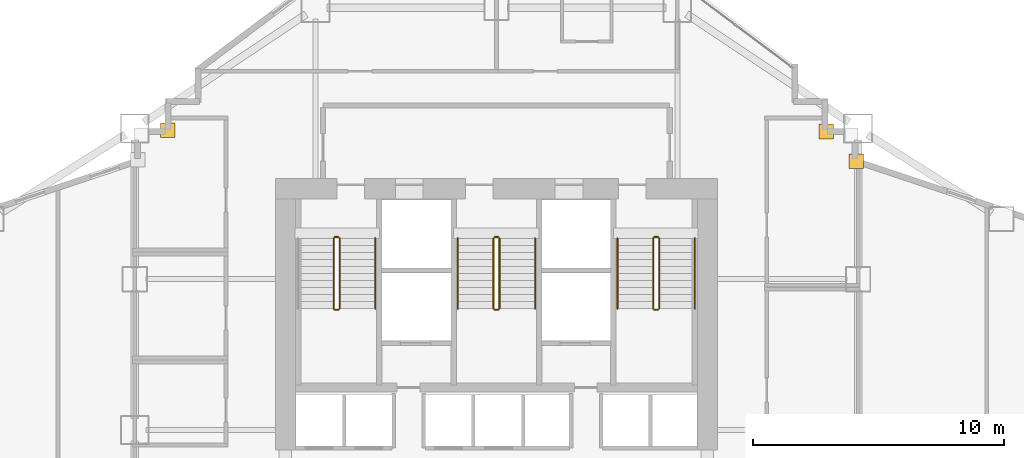
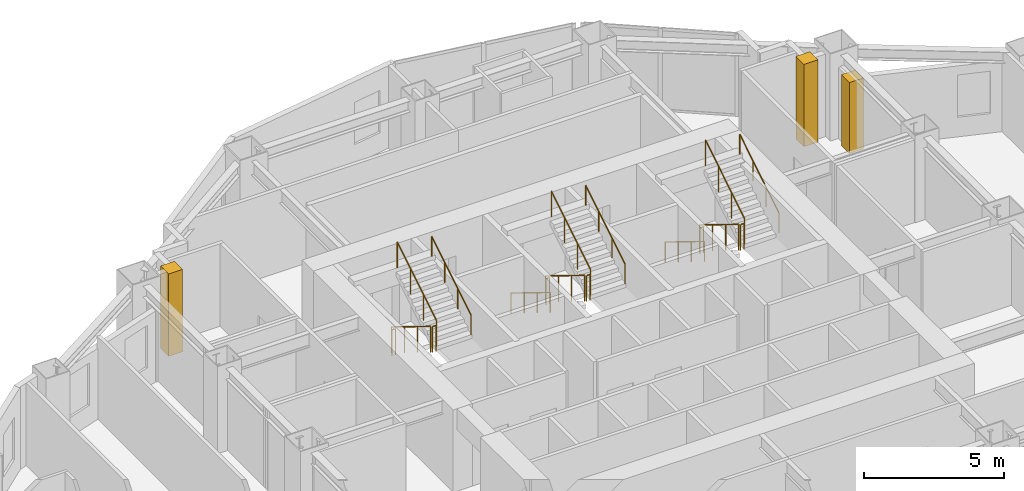
# One storey, part 14 of 15: 17 railings, 3 coverings.
"""IFC4 building model written with IfcOpenShell, lengths in metres."""

import ifcopenshell
import ifcopenshell.guid

model = None  # the IFC model being written
_history = None  # IfcOwnerHistory: only IFC2X3 demands one
_inside = {}  # id of a spatial element -> (the spatial element, [elements in it])
_under = {}  # id of a project, library or spatial element -> (it, [spatial elements below it])
_declared = {}  # id of a project -> (the project, [libraries it declares])
_typed = {}  # id of a type object -> (the type object, [elements of that type])
_made_of = {}  # id of a material, layer set ... -> (it, [elements and type objects made of it])


def new_model(schema):
    """Start an empty IFC model of exactly this schema.

    Asked for "IFC4X3", IfcOpenShell would pick the latest addendum, in which some entities
    have other attributes; the version numbers below select the first issue.
    IFC2X3 requires an IfcOwnerHistory on every rooted entity: one is made here for all.
    """
    global model, _history
    if schema == "IFC4X3":
        model = ifcopenshell.file(schema_version=(4, 3, 0, 0))
    else:
        model = ifcopenshell.file(schema=schema)
    _inside.clear()
    _under.clear()
    _declared.clear()
    _typed.clear()
    _made_of.clear()
    _history = None
    if model.schema == "IFC2X3":
        org = make("IfcOrganization", Name="unknown")
        user = make(
            "IfcPersonAndOrganization",
            ThePerson=make("IfcPerson", FamilyName="unknown"),
            TheOrganization=org,
        )
        app = make(
            "IfcApplication",
            ApplicationDeveloper=org,
            Version="unknown",
            ApplicationFullName="unknown",
            ApplicationIdentifier="unknown",
        )
        _history = make(
            "IfcOwnerHistory",
            OwningUser=user,
            OwningApplication=app,
            ChangeAction="ADDED",
            CreationDate=0,
        )
    return model


def make(cls, **values):
    """One entity of the class cls with the attributes given. An attribute that is None is left unset."""
    return model.create_entity(
        cls, **{name: value for name, value in values.items() if value is not None}
    )


def rooted(cls, **values):
    """An entity with a GlobalId (a new one), such as an element, a storey or a relation."""
    return make(cls, GlobalId=ifcopenshell.guid.new(), OwnerHistory=_history, **values)


def si_unit(unit_type, name, prefix=None):
    """IfcSIUnit, for example si_unit("LENGTHUNIT", "METRE", prefix="MILLI")."""
    return make("IfcSIUnit", UnitType=unit_type, Prefix=prefix, Name=name)


def assignment(units):
    """IfcUnitAssignment: the units of a project."""
    return None if units is None else make("IfcUnitAssignment", Units=units)


def point(xyz):
    """IfcCartesianPoint."""
    return None if xyz is None else make("IfcCartesianPoint", Coordinates=xyz)


def direction(xyz):
    """IfcDirection."""
    return None if xyz is None else make("IfcDirection", DirectionRatios=xyz)


def frame(location, z_axis=None, x_axis=None):
    """IfcAxis2Placement3D, a coordinate frame: its origin and axes. An axis left out is left unset."""
    return make(
        "IfcAxis2Placement3D",
        Location=point(location),
        Axis=direction(z_axis),
        RefDirection=direction(x_axis),
    )


def frame_2d(location, x_axis=None):
    """IfcAxis2Placement2D, a coordinate frame in the plane: its origin and x axis."""
    return make(
        "IfcAxis2Placement2D", Location=point(location), RefDirection=direction(x_axis)
    )


def origin():
    """The frame at (0, 0, 0) with its axes left unset."""
    return frame((0.0, 0.0, 0.0))


def origin_2d():
    """The frame at (0, 0) in the plane with its x axis left unset."""
    return frame_2d((0.0, 0.0))


def place(relative_to, where):
    """IfcLocalPlacement: puts the frame where relative to a parent placement (None: the world)."""
    return make(
        "IfcLocalPlacement", PlacementRelTo=relative_to, RelativePlacement=where
    )


def context(
    kind, dimensions, precision=None, world=None, true_north=None, identifier=None
):
    """IfcGeometricRepresentationContext, for example the 3D "Model" context."""
    return make(
        "IfcGeometricRepresentationContext",
        ContextIdentifier=identifier,
        ContextType=kind,
        CoordinateSpaceDimension=dimensions,
        Precision=precision,
        WorldCoordinateSystem=world,
        TrueNorth=true_north,
    )


def subcontext(parent, identifier, kind, view, scale=None):
    """IfcGeometricRepresentationSubContext, for example "Body" below "Model"."""
    return make(
        "IfcGeometricRepresentationSubContext",
        ContextIdentifier=identifier,
        ContextType=kind,
        ParentContext=parent,
        TargetScale=scale,
        TargetView=view,
    )


def project(units=None, contexts=None):
    """IfcProject with its units and contexts."""
    return rooted(
        "IfcProject",
        Name="project",
        RepresentationContexts=contexts,
        UnitsInContext=assignment(units),
    )


def spatial(cls, under=None, at=None, **own):
    """A site, building, storey or space (cls), placed at a placement, below another one or the project."""
    s = rooted(cls, ObjectPlacement=at, **own)
    if under is not None:
        _under.setdefault(under.id(), (under, []))[1].append(s)
    return s


def profile(cls, at=None, kind="AREA", **sizes):
    """A parametric profile (cls). Its sizes go by their IFC names, for example OverallWidth=200.0."""
    return make(cls, ProfileType=kind, Position=at, **sizes)


def rectangle(**sizes):
    """IfcRectangleProfileDef."""
    return profile("IfcRectangleProfileDef", **sizes)


def circle(**sizes):
    """IfcCircleProfileDef."""
    return profile("IfcCircleProfileDef", **sizes)


def extrude(swept, where, along, depth):
    """IfcExtrudedAreaSolid: the profile swept, set in the frame where, extruded along a direction by depth."""
    return make(
        "IfcExtrudedAreaSolid",
        SweptArea=swept,
        Position=where,
        ExtrudedDirection=direction(along),
        Depth=depth,
    )


def shape(context_of_items, identifier, shape_type, items):
    """IfcShapeRepresentation: the items that make up one representation, for example the "Body"."""
    return make(
        "IfcShapeRepresentation",
        ContextOfItems=context_of_items,
        RepresentationIdentifier=identifier,
        RepresentationType=shape_type,
        Items=items,
    )


def material(Name=None, Category=None):
    """IfcMaterial."""
    return make("IfcMaterial", Name=Name, Category=Category)


def layer(
    of_material, thickness, ventilated=None, Name=None, Category=None, Priority=None
):
    """IfcMaterialLayer: one layer of a wall or slab, of a material (None: an air gap)."""
    return make(
        "IfcMaterialLayer",
        Material=of_material,
        LayerThickness=thickness,
        IsVentilated=ventilated,
        Name=Name,
        Category=Category,
        Priority=Priority,
    )


def layer_set(layers, Name=None):
    """IfcMaterialLayerSet."""
    return make("IfcMaterialLayerSet", MaterialLayers=layers, LayerSetName=Name)


def made_of(thing, what):
    """Note that an element or type object is made of a material, layer set ...; save() writes the relation."""
    if what is not None:
        _made_of.setdefault(what.id(), (what, []))[1].append(thing)
    return thing


def type_object(cls, material=None, **own):
    """A type object (cls), such as IfcWallType, which elements share."""
    return made_of(rooted(cls, **own), material)


def element(
    cls,
    number,
    at=None,
    inside=None,
    cuts=None,
    type_object=None,
    material=None,
    context=None,
    identifier="Body",
    shape_type=None,
    held_by="IfcProductDefinitionShape",
    body=None,
    shapes=None,
    **own,
):
    """One element of the class cls, such as IfcWall. Its Tag is "e" and its number.

    at: its placement. inside: the storey or other place that contains it. cuts: it is an
    opening in that element (IfcRelVoidsElement). A single representation is given by context,
    identifier, shape_type and body (its items); several are given by shapes. held_by: the class
    of the entity that holds the representations. save() writes the other relations.
    """
    e = rooted(cls, Tag="e%d" % number, ObjectPlacement=at, **own)
    if body is not None:
        shapes = [shape(context, identifier, shape_type, body)]
    if shapes is not None:
        e.Representation = make(held_by, Representations=shapes)
    if inside is not None:
        _inside.setdefault(inside.id(), (inside, []))[1].append(e)
    if cuts is not None:
        rooted(
            "IfcRelVoidsElement", RelatingBuildingElement=cuts, RelatedOpeningElement=e
        )
    if type_object is not None:
        _typed.setdefault(type_object.id(), (type_object, []))[1].append(e)
    return made_of(e, material)


def aggregate(whole, parts):
    """IfcRelAggregates: a whole, such as a stair, and the parts it consists of."""
    return rooted("IfcRelAggregates", RelatingObject=whole, RelatedObjects=parts)


def save(model, path):
    """Write the relations noted so far, then the file.

    IfcRelAggregates (storeys below a building ...), IfcRelContainedInSpatialStructure (elements
    in a storey), IfcRelDefinesByType, IfcRelAssociatesMaterial and IfcRelDeclares: one each for
    every whole, place, type object, material and project.
    """
    for whole, parts in _under.values():
        aggregate(whole, parts)
    for where, things in _inside.values():
        rooted(
            "IfcRelContainedInSpatialStructure",
            RelatedElements=things,
            RelatingStructure=where,
        )
    for kind, things in _typed.values():
        rooted("IfcRelDefinesByType", RelatedObjects=things, RelatingType=kind)
    for what, things in _made_of.values():
        rooted("IfcRelAssociatesMaterial", RelatedObjects=things, RelatingMaterial=what)
    for by, libraries in _declared.values():
        rooted("IfcRelDeclares", RelatingContext=by, RelatedDefinitions=libraries)
    model.write(path)


model = new_model("IFC4")

# Units and contexts
model_context = context("Model", 3, precision=1e-05, world=origin(), true_north=direction((0.0, 1.0)))
body_context = subcontext(model_context, "Body", "Model", "MODEL_VIEW")
ifc_project = project(units=[si_unit("LENGTHUNIT", "METRE"), si_unit("AREAUNIT", "SQUARE_METRE"), si_unit("VOLUMEUNIT", "CUBIC_METRE"), si_unit("PLANEANGLEUNIT", "RADIAN"), si_unit("MASSUNIT", "GRAM", prefix="KILO")], contexts=[model_context])

# Site, building, storey
site_placement = place(None, origin())
site = spatial("IfcSite", under=ifc_project, at=site_placement, CompositionType="ELEMENT")
building_placement = place(site_placement, origin())
building = spatial("IfcBuilding", under=site, at=building_placement, Name="Haolan Belvedere Tower", CompositionType="ELEMENT")
storey_placement = place(building_placement, frame((0.0, 0.0, 66.60009765625)))
storey = spatial("IfcBuildingStorey", under=building, at=storey_placement, Name="L16", CompositionType="ELEMENT", Elevation=66.60009765625)

# Coverings
ifc_material_1 = material(Name="Pale champagne-silver anodised aluminium rainscreen cladding", Category="aluminium")
ifc_layer = layer(ifc_material_1, 0.034912109375, Name="Pale champagne-silver anodised aluminium rainscreen cladding")
ifc_layer_set = layer_set([ifc_layer], Name="Pale champagne-silver anodised aluminium rainscreen cladding")
covering_type = type_object("IfcCoveringType", Name="COV-CLAD-35", PredefinedType="CLADDING", material=ifc_layer_set)
covering_placement = place(storey_placement, frame((52.72021484375, 44.300048828125, 0.0), z_axis=(0.0, 0.0, 1.0), x_axis=(1.0, 0.0, 0.0)))
element("IfcCovering", 1, at=covering_placement, inside=storey, type_object=covering_type, Name="L16 pale-metal serrated corner cladding trim 7", PredefinedType="CLADDING", context=body_context, shape_type="SweptSolid", body=[
    extrude(rectangle(XDim=0.580078125, YDim=0.580078125, at=origin_2d()), origin(), (0.0, 0.0, 1.0), 3.096923828125),
])
for number, where, z_axis, x_axis, name in (
    (2, (51.5224609375, 45.47998046875, -0.000244140625), (0.0, 0.0, 1.0), (1.0, 0.0, 0.0), "L16 pale-metal serrated corner cladding trim 8"),
    (3, (25.320068359375, 45.5224609375, -0.000244140625), (0.0, 0.0, 1.0), (1.0, 0.0, 0.0), "L16 pale-metal serrated corner cladding trim 9"),
):
    element("IfcCovering", number, at=place(storey_placement, frame(where, z_axis=z_axis, x_axis=x_axis)), inside=storey, type_object=covering_type, Name=name, PredefinedType="CLADDING", context=body_context, shape_type="SweptSolid", body=[
        extrude(rectangle(XDim=0.580078125, YDim=0.580078125, at=origin_2d()), origin(), (0.0, 0.0, 1.0), 3.60009765625),
    ])

# Railings
ifc_material_2 = material(Name="Brushed stainless steel 304", Category="steel")
railing_type_1 = type_object("IfcRailingType", Name="RL-STAIR-GRD-1150", PredefinedType="GUARDRAIL", material=ifc_material_2)
railing_1_placement = place(storey_placement, frame((31.919921875, 41.22998046875, 0.172607421875)))
element("IfcRailing", 4, at=railing_1_placement, inside=storey, type_object=railing_type_1, Name="L16 ST1 stair guard 1", PredefinedType="GUARDRAIL", context=body_context, shape_type="SweptSolid", body=[
    extrude(circle(Radius=0.02392578125, at=origin_2d()), frame((0.0, 0.0, 1.1259765625), z_axis=(0.0, -0.851089632645, 0.525020415988), x_axis=(1.0, 0.0, 0.0)), (0.0, 0.0, 1.0), 3.2900390625),
    extrude(circle(Radius=0.02099609375, at=origin_2d()), origin(), (0.0, 0.0, 1.0), 1.101806640625),
    extrude(circle(Radius=0.02099609375, at=origin_2d()), frame((0.0, -0.933349609375, 0.57568359375)), (0.0, 0.0, 1.0), 1.101806640625),
    extrude(circle(Radius=0.02099609375, at=origin_2d()), frame((0.0, -1.86669921875, 1.151611328125)), (0.0, 0.0, 1.0), 1.101806640625),
    extrude(circle(Radius=0.02099609375, at=origin_2d()), frame((0.0, -2.800048828125, 1.727294921875)), (0.0, 0.0, 1.0), 1.101806640625),
])
railing_2_placement = place(storey_placement, frame((31.969970703125, 38.3798828125, 1.89990234375)))
element("IfcRailing", 5, at=railing_2_placement, inside=storey, type_object=railing_type_1, Name="L16 ST1 stair guard 2", PredefinedType="GUARDRAIL", context=body_context, shape_type="SweptSolid", body=[
    extrude(circle(Radius=0.02392578125, at=origin_2d()), frame((0.0, 0.0, 1.1259765625), z_axis=(1.0, 0.0, 0.0), x_axis=(0.0, 1.0, 0.0)), (0.0, 0.0, 1.0), 0.14013671875),
    extrude(circle(Radius=0.02099609375, at=origin_2d()), origin(), (0.0, 0.0, 1.0), 1.101806640625),
    extrude(circle(Radius=0.02099609375, at=origin_2d()), frame((0.14013671875, 0.0, 0.0)), (0.0, 0.0, 1.0), 1.101806640625),
])
railing_3_placement = place(storey_placement, frame((32.159912109375, 38.429931640625, 2.072509765625)))
element("IfcRailing", 6, at=railing_3_placement, inside=storey, type_object=railing_type_1, Name="L16 ST1 stair guard 3", PredefinedType="GUARDRAIL", context=body_context, shape_type="SweptSolid", body=[
    extrude(circle(Radius=0.02392578125, at=origin_2d()), frame((0.0, 0.0, 1.1259765625), z_axis=(0.0, 0.851089632645, 0.525020415988), x_axis=(-1.0, 0.0, 0.0)), (0.0, 0.0, 1.0), 3.2900390625),
    extrude(circle(Radius=0.02099609375, at=origin_2d()), origin(), (0.0, 0.0, 1.0), 1.101806640625),
    extrude(circle(Radius=0.02099609375, at=origin_2d()), frame((0.0, 0.933349609375, 0.57568359375)), (0.0, 0.0, 1.0), 1.101806640625),
    extrude(circle(Radius=0.02099609375, at=origin_2d()), frame((0.0, 1.86669921875, 1.151611328125)), (0.0, 0.0, 1.0), 1.101806640625),
    extrude(circle(Radius=0.02099609375, at=origin_2d()), frame((0.0, 2.800048828125, 1.727294921875)), (0.0, 0.0, 1.0), 1.101806640625),
])
railing_4_placement = place(storey_placement, frame((31.969970703125, 41.280029296875, 0.0)))
element("IfcRailing", 7, at=railing_4_placement, inside=storey, type_object=railing_type_1, Name="L16 ST1 stair guard 4", PredefinedType="GUARDRAIL", context=body_context, shape_type="SweptSolid", body=[
    extrude(circle(Radius=0.02392578125, at=origin_2d()), frame((0.0, 0.0, 1.1259765625), z_axis=(1.0, 0.0, 0.0), x_axis=(0.0, 1.0, 0.0)), (0.0, 0.0, 1.0), 0.14013671875),
    extrude(circle(Radius=0.02099609375, at=origin_2d()), origin(), (0.0, 0.0, 1.0), 1.101806640625),
    extrude(circle(Radius=0.02099609375, at=origin_2d()), frame((0.14013671875, 0.0, 0.0)), (0.0, 0.0, 1.0), 1.101806640625),
])
railing_5_placement = place(storey_placement, frame((38.280029296875, 41.22998046875, 0.172607421875)))
element("IfcRailing", 8, at=railing_5_placement, inside=storey, type_object=railing_type_1, Name="L16 ST3 stair guard 1", PredefinedType="GUARDRAIL", context=body_context, shape_type="SweptSolid", body=[
    extrude(circle(Radius=0.02392578125, at=origin_2d()), frame((0.0, 0.0, 1.1259765625), z_axis=(0.0, -0.851089632645, 0.525020415988), x_axis=(1.0, 0.0, 0.0)), (0.0, 0.0, 1.0), 3.2900390625),
    extrude(circle(Radius=0.02099609375, at=origin_2d()), origin(), (0.0, 0.0, 1.0), 1.101806640625),
    extrude(circle(Radius=0.02099609375, at=origin_2d()), frame((0.0, -0.933349609375, 0.57568359375)), (0.0, 0.0, 1.0), 1.101806640625),
    extrude(circle(Radius=0.02099609375, at=origin_2d()), frame((0.0, -1.86669921875, 1.151611328125)), (0.0, 0.0, 1.0), 1.101806640625),
    extrude(circle(Radius=0.02099609375, at=origin_2d()), frame((0.0, -2.800048828125, 1.727294921875)), (0.0, 0.0, 1.0), 1.101806640625),
])
railing_6_placement = place(storey_placement, frame((38.330078125, 38.3798828125, 1.89990234375)))
element("IfcRailing", 9, at=railing_6_placement, inside=storey, type_object=railing_type_1, Name="L16 ST3 stair guard 2", PredefinedType="GUARDRAIL", context=body_context, shape_type="SweptSolid", body=[
    extrude(circle(Radius=0.02392578125, at=origin_2d()), frame((0.0, 0.0, 1.1259765625), z_axis=(1.0, 0.0, 0.0), x_axis=(0.0, 1.0, 0.0)), (0.0, 0.0, 1.0), 0.139892578125),
    extrude(circle(Radius=0.02099609375, at=origin_2d()), origin(), (0.0, 0.0, 1.0), 1.101806640625),
    extrude(circle(Radius=0.02099609375, at=origin_2d()), frame((0.139892578125, 0.0, 0.0)), (0.0, 0.0, 1.0), 1.101806640625),
])
railing_7_placement = place(storey_placement, frame((38.52001953125, 38.429931640625, 2.072509765625)))
element("IfcRailing", 10, at=railing_7_placement, inside=storey, type_object=railing_type_1, Name="L16 ST3 stair guard 3", PredefinedType="GUARDRAIL", context=body_context, shape_type="SweptSolid", body=[
    extrude(circle(Radius=0.02392578125, at=origin_2d()), frame((0.0, 0.0, 1.1259765625), z_axis=(0.0, 0.851089632645, 0.525020415988), x_axis=(-1.0, 0.0, 0.0)), (0.0, 0.0, 1.0), 3.2900390625),
    extrude(circle(Radius=0.02099609375, at=origin_2d()), origin(), (0.0, 0.0, 1.0), 1.101806640625),
    extrude(circle(Radius=0.02099609375, at=origin_2d()), frame((0.0, 0.933349609375, 0.57568359375)), (0.0, 0.0, 1.0), 1.101806640625),
    extrude(circle(Radius=0.02099609375, at=origin_2d()), frame((0.0, 1.86669921875, 1.151611328125)), (0.0, 0.0, 1.0), 1.101806640625),
    extrude(circle(Radius=0.02099609375, at=origin_2d()), frame((0.0, 2.800048828125, 1.727294921875)), (0.0, 0.0, 1.0), 1.101806640625),
])
railing_8_placement = place(storey_placement, frame((38.330078125, 41.280029296875, 0.0)))
element("IfcRailing", 11, at=railing_8_placement, inside=storey, type_object=railing_type_1, Name="L16 ST3 stair guard 4", PredefinedType="GUARDRAIL", context=body_context, shape_type="SweptSolid", body=[
    extrude(circle(Radius=0.02392578125, at=origin_2d()), frame((0.0, 0.0, 1.1259765625), z_axis=(1.0, 0.0, 0.0), x_axis=(0.0, 1.0, 0.0)), (0.0, 0.0, 1.0), 0.139892578125),
    extrude(circle(Radius=0.02099609375, at=origin_2d()), origin(), (0.0, 0.0, 1.0), 1.101806640625),
    extrude(circle(Radius=0.02099609375, at=origin_2d()), frame((0.139892578125, 0.0, 0.0)), (0.0, 0.0, 1.0), 1.101806640625),
])
railing_9_placement = place(storey_placement, frame((44.639892578125, 41.22998046875, 0.172607421875)))
element("IfcRailing", 12, at=railing_9_placement, inside=storey, type_object=railing_type_1, Name="L16 ST2 stair guard 1", PredefinedType="GUARDRAIL", context=body_context, shape_type="SweptSolid", body=[
    extrude(circle(Radius=0.02392578125, at=origin_2d()), frame((0.0, 0.0, 1.1259765625), z_axis=(0.0, -0.851089632645, 0.525020415988), x_axis=(1.0, 0.0, 0.0)), (0.0, 0.0, 1.0), 3.2900390625),
    extrude(circle(Radius=0.02099609375, at=origin_2d()), origin(), (0.0, 0.0, 1.0), 1.101806640625),
    extrude(circle(Radius=0.02099609375, at=origin_2d()), frame((0.0, -0.933349609375, 0.57568359375)), (0.0, 0.0, 1.0), 1.101806640625),
    extrude(circle(Radius=0.02099609375, at=origin_2d()), frame((0.0, -1.86669921875, 1.151611328125)), (0.0, 0.0, 1.0), 1.101806640625),
    extrude(circle(Radius=0.02099609375, at=origin_2d()), frame((0.0, -2.800048828125, 1.727294921875)), (0.0, 0.0, 1.0), 1.101806640625),
])
railing_10_placement = place(storey_placement, frame((44.68994140625, 38.3798828125, 1.89990234375)))
element("IfcRailing", 13, at=railing_10_placement, inside=storey, type_object=railing_type_1, Name="L16 ST2 stair guard 2", PredefinedType="GUARDRAIL", context=body_context, shape_type="SweptSolid", body=[
    extrude(circle(Radius=0.02392578125, at=origin_2d()), frame((0.0, 0.0, 1.1259765625), z_axis=(1.0, 0.0, 0.0), x_axis=(0.0, 1.0, 0.0)), (0.0, 0.0, 1.0), 0.14013671875),
    extrude(circle(Radius=0.02099609375, at=origin_2d()), origin(), (0.0, 0.0, 1.0), 1.101806640625),
    extrude(circle(Radius=0.02099609375, at=origin_2d()), frame((0.14013671875, 0.0, 0.0)), (0.0, 0.0, 1.0), 1.101806640625),
])
railing_11_placement = place(storey_placement, frame((44.8798828125, 38.429931640625, 2.072509765625)))
element("IfcRailing", 14, at=railing_11_placement, inside=storey, type_object=railing_type_1, Name="L16 ST2 stair guard 3", PredefinedType="GUARDRAIL", context=body_context, shape_type="SweptSolid", body=[
    extrude(circle(Radius=0.02392578125, at=origin_2d()), frame((0.0, 0.0, 1.1259765625), z_axis=(0.0, 0.851089632645, 0.525020415988), x_axis=(-1.0, 0.0, 0.0)), (0.0, 0.0, 1.0), 3.2900390625),
    extrude(circle(Radius=0.02099609375, at=origin_2d()), origin(), (0.0, 0.0, 1.0), 1.101806640625),
    extrude(circle(Radius=0.02099609375, at=origin_2d()), frame((0.0, 0.933349609375, 0.57568359375)), (0.0, 0.0, 1.0), 1.101806640625),
    extrude(circle(Radius=0.02099609375, at=origin_2d()), frame((0.0, 1.86669921875, 1.151611328125)), (0.0, 0.0, 1.0), 1.101806640625),
    extrude(circle(Radius=0.02099609375, at=origin_2d()), frame((0.0, 2.800048828125, 1.727294921875)), (0.0, 0.0, 1.0), 1.101806640625),
])
railing_12_placement = place(storey_placement, frame((44.68994140625, 41.280029296875, 0.0)))
element("IfcRailing", 15, at=railing_12_placement, inside=storey, type_object=railing_type_1, Name="L16 ST2 stair guard 4", PredefinedType="GUARDRAIL", context=body_context, shape_type="SweptSolid", body=[
    extrude(circle(Radius=0.02392578125, at=origin_2d()), frame((0.0, 0.0, 1.1259765625), z_axis=(1.0, 0.0, 0.0), x_axis=(0.0, 1.0, 0.0)), (0.0, 0.0, 1.0), 0.14013671875),
    extrude(circle(Radius=0.02099609375, at=origin_2d()), origin(), (0.0, 0.0, 1.0), 1.101806640625),
    extrude(circle(Radius=0.02099609375, at=origin_2d()), frame((0.14013671875, 0.0, 0.0)), (0.0, 0.0, 1.0), 1.101806640625),
])
railing_type_2 = type_object("IfcRailingType", Name="RL-STAIR-HND-900", PredefinedType="HANDRAIL", material=ifc_material_2)
railing_13_placement = place(storey_placement, frame((33.580078125, 38.429931640625, 2.072509765625)))
element("IfcRailing", 16, at=railing_13_placement, inside=storey, type_object=railing_type_2, Name="L16 ST1 stair handrail 2", PredefinedType="HANDRAIL", context=body_context, shape_type="SweptSolid", body=[
    extrude(circle(Radius=0.02392578125, at=origin_2d()), frame((0.0, 0.0, 0.8759765625), z_axis=(0.0, 0.851089632645, 0.525020415988), x_axis=(-1.0, 0.0, 0.0)), (0.0, 0.0, 1.0), 3.2900390625),
    extrude(circle(Radius=0.02099609375, at=origin_2d()), origin(), (0.0, 0.0, 1.0), 0.851806640625),
    extrude(circle(Radius=0.02099609375, at=origin_2d()), frame((0.0, 0.933349609375, 0.57568359375)), (0.0, 0.0, 1.0), 0.851806640625),
    extrude(circle(Radius=0.02099609375, at=origin_2d()), frame((0.0, 1.86669921875, 1.151611328125)), (0.0, 0.0, 1.0), 0.851806640625),
    extrude(circle(Radius=0.02099609375, at=origin_2d()), frame((0.0, 2.800048828125, 1.727294921875)), (0.0, 0.0, 1.0), 0.851806640625),
])
railing_14_placement = place(storey_placement, frame((36.860107421875, 41.22998046875, 0.172607421875)))
element("IfcRailing", 17, at=railing_14_placement, inside=storey, type_object=railing_type_2, Name="L16 ST3 stair handrail 1", PredefinedType="HANDRAIL", context=body_context, shape_type="SweptSolid", body=[
    extrude(circle(Radius=0.02392578125, at=origin_2d()), frame((0.0, 0.0, 0.8759765625), z_axis=(0.0, -0.851089632645, 0.525020415988), x_axis=(1.0, 0.0, 0.0)), (0.0, 0.0, 1.0), 3.2900390625),
    extrude(circle(Radius=0.02099609375, at=origin_2d()), origin(), (0.0, 0.0, 1.0), 0.851806640625),
    extrude(circle(Radius=0.02099609375, at=origin_2d()), frame((0.0, -0.933349609375, 0.57568359375)), (0.0, 0.0, 1.0), 0.851806640625),
    extrude(circle(Radius=0.02099609375, at=origin_2d()), frame((0.0, -1.86669921875, 1.151611328125)), (0.0, 0.0, 1.0), 0.851806640625),
    extrude(circle(Radius=0.02099609375, at=origin_2d()), frame((0.0, -2.800048828125, 1.727294921875)), (0.0, 0.0, 1.0), 0.851806640625),
])
railing_15_placement = place(storey_placement, frame((39.93994140625, 38.429931640625, 2.072509765625)))
element("IfcRailing", 18, at=railing_15_placement, inside=storey, type_object=railing_type_2, Name="L16 ST3 stair handrail 2", PredefinedType="HANDRAIL", context=body_context, shape_type="SweptSolid", body=[
    extrude(circle(Radius=0.02392578125, at=origin_2d()), frame((0.0, 0.0, 0.8759765625), z_axis=(0.0, 0.851089632645, 0.525020415988), x_axis=(-1.0, 0.0, 0.0)), (0.0, 0.0, 1.0), 3.2900390625),
    extrude(circle(Radius=0.02099609375, at=origin_2d()), origin(), (0.0, 0.0, 1.0), 0.851806640625),
    extrude(circle(Radius=0.02099609375, at=origin_2d()), frame((0.0, 0.933349609375, 0.57568359375)), (0.0, 0.0, 1.0), 0.851806640625),
    extrude(circle(Radius=0.02099609375, at=origin_2d()), frame((0.0, 1.86669921875, 1.151611328125)), (0.0, 0.0, 1.0), 0.851806640625),
    extrude(circle(Radius=0.02099609375, at=origin_2d()), frame((0.0, 2.800048828125, 1.727294921875)), (0.0, 0.0, 1.0), 0.851806640625),
])
railing_16_placement = place(storey_placement, frame((43.219970703125, 41.22998046875, 0.172607421875)))
element("IfcRailing", 19, at=railing_16_placement, inside=storey, type_object=railing_type_2, Name="L16 ST2 stair handrail 1", PredefinedType="HANDRAIL", context=body_context, shape_type="SweptSolid", body=[
    extrude(circle(Radius=0.02392578125, at=origin_2d()), frame((0.0, 0.0, 0.8759765625), z_axis=(0.0, -0.851089632645, 0.525020415988), x_axis=(1.0, 0.0, 0.0)), (0.0, 0.0, 1.0), 3.2900390625),
    extrude(circle(Radius=0.02099609375, at=origin_2d()), origin(), (0.0, 0.0, 1.0), 0.851806640625),
    extrude(circle(Radius=0.02099609375, at=origin_2d()), frame((0.0, -0.933349609375, 0.57568359375)), (0.0, 0.0, 1.0), 0.851806640625),
    extrude(circle(Radius=0.02099609375, at=origin_2d()), frame((0.0, -1.86669921875, 1.151611328125)), (0.0, 0.0, 1.0), 0.851806640625),
    extrude(circle(Radius=0.02099609375, at=origin_2d()), frame((0.0, -2.800048828125, 1.727294921875)), (0.0, 0.0, 1.0), 0.851806640625),
])
railing_17_placement = place(storey_placement, frame((46.300048828125, 38.429931640625, 2.072509765625)))
element("IfcRailing", 20, at=railing_17_placement, inside=storey, type_object=railing_type_2, Name="L16 ST2 stair handrail 2", PredefinedType="HANDRAIL", context=body_context, shape_type="SweptSolid", body=[
    extrude(circle(Radius=0.02392578125, at=origin_2d()), frame((0.0, 0.0, 0.8759765625), z_axis=(0.0, 0.851089632645, 0.525020415988), x_axis=(-1.0, 0.0, 0.0)), (0.0, 0.0, 1.0), 3.2900390625),
    extrude(circle(Radius=0.02099609375, at=origin_2d()), origin(), (0.0, 0.0, 1.0), 0.851806640625),
    extrude(circle(Radius=0.02099609375, at=origin_2d()), frame((0.0, 0.933349609375, 0.57568359375)), (0.0, 0.0, 1.0), 0.851806640625),
    extrude(circle(Radius=0.02099609375, at=origin_2d()), frame((0.0, 1.86669921875, 1.151611328125)), (0.0, 0.0, 1.0), 0.851806640625),
    extrude(circle(Radius=0.02099609375, at=origin_2d()), frame((0.0, 2.800048828125, 1.727294921875)), (0.0, 0.0, 1.0), 0.851806640625),
])

save(model, "model.ifc")
